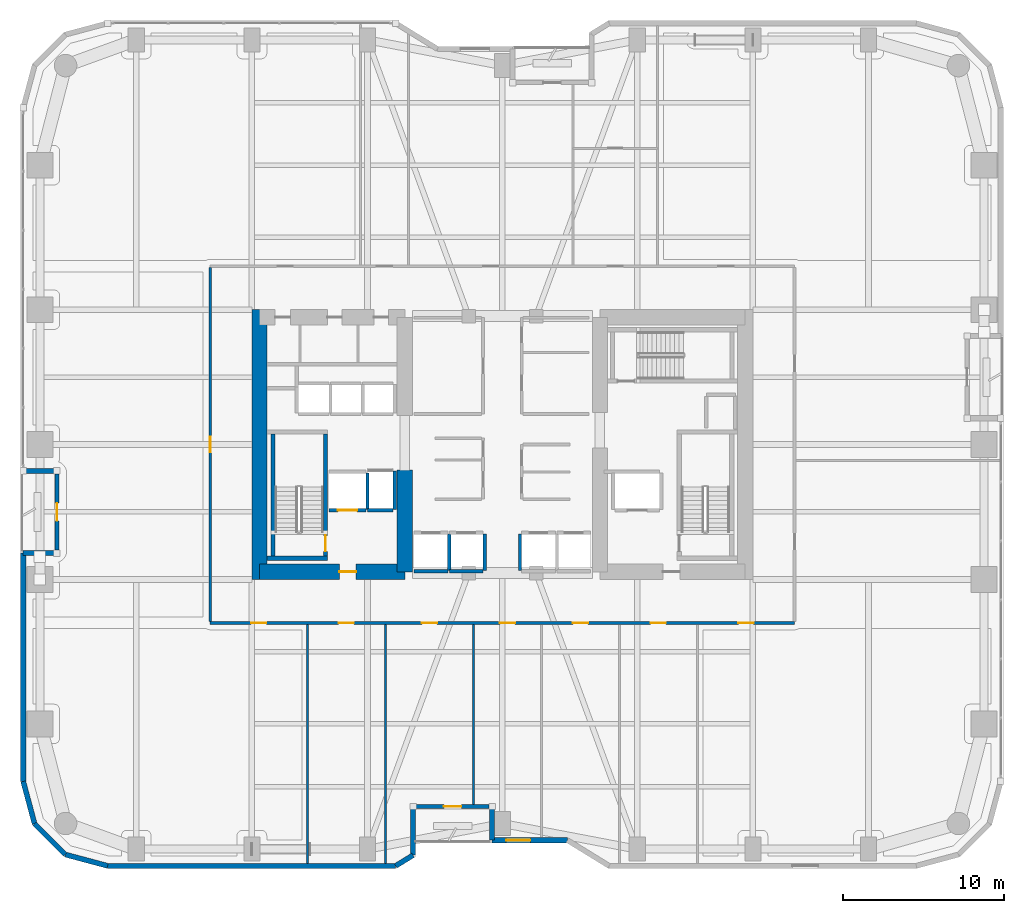
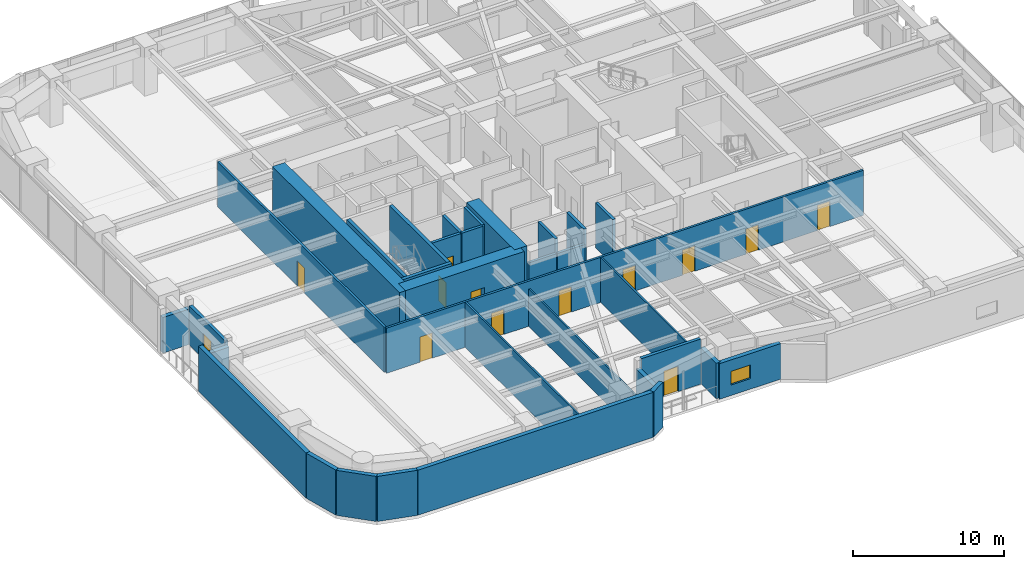
# One storey, part 22 of 29: 33 walls, 13 doors, 1 window, 14 openings.
"""IFC4 building model written with IfcOpenShell, lengths in metres."""

from ifc_helpers import new_model, si_unit, direction, frame, frame_2d, origin, place, context, subcontext, project, spatial, rectangle, extrude, material, layer, layer_set, type_object, element, fill, save


model = new_model("IFC4")

# Units and contexts
model_context = context("Model", 3, precision=1e-05, world=origin(), true_north=direction((0.0, 1.0)))
body_context = subcontext(model_context, "Body", "Model", "MODEL_VIEW")
ifc_project = project(units=[si_unit("LENGTHUNIT", "METRE"), si_unit("AREAUNIT", "SQUARE_METRE"), si_unit("VOLUMEUNIT", "CUBIC_METRE"), si_unit("PLANEANGLEUNIT", "RADIAN"), si_unit("MASSUNIT", "GRAM", prefix="KILO")], contexts=[model_context])

# Site, building, storey
site_placement = place(None, origin())
site = spatial("IfcSite", under=ifc_project, at=site_placement, CompositionType="ELEMENT")
building_placement = place(site_placement, origin())
building = spatial("IfcBuilding", under=site, at=building_placement, Name="Kiyonajd Concourse Tower", CompositionType="ELEMENT")
storey_placement = place(building_placement, frame((0.0, 0.0, 48.89990234375)))
storey = spatial("IfcBuildingStorey", under=building, at=storey_placement, Name="L13", CompositionType="ELEMENT", Elevation=48.89990234375)

# Walls
ifc_material_1 = material(Name="Concrete C80/95", Category="concrete")
ifc_layer_1 = layer(ifc_material_1, 0.949951171875)
ifc_layer_set_1 = layer_set([ifc_layer_1], Name="Concrete C80/95")
wall_type_1 = type_object("IfcWallType", Name="WL-CORE-950", PredefinedType="SHEAR", material=ifc_layer_set_1)
wall_1_placement = place(storey_placement, frame((32.875, 27.60009765625, 0.0), z_axis=(0.0, 0.0, 1.0), x_axis=(0.0, 1.0, 0.0)))
element("IfcWall", 1, at=wall_1_placement, inside=storey, type_object=wall_type_1, Name="L13 West Core Outer Shear Wall", PredefinedType="SHEAR", context=body_context, shape_type="SweptSolid", body=[
    extrude(rectangle(XDim=16.7998046875, YDim=0.949951171875, at=frame_2d((8.39990234375, 0.0))), origin(), (0.0, 0.0, 1.0), 3.900146484375),
])
wall_2_placement = place(storey_placement, frame((41.925048828125, 28.074951171875, 0.0), z_axis=(0.0, 0.0, 1.0), x_axis=(0.0, 1.0, 0.0)))
element("IfcWall", 2, at=wall_2_placement, inside=storey, type_object=wall_type_1, Name="L13 West Core Inner South Shear Wall", PredefinedType="SHEAR", context=body_context, shape_type="SweptSolid", body=[
    extrude(rectangle(XDim=6.324951171875, YDim=0.949951171875, at=frame_2d((3.16259765625, 0.0))), origin(), (0.0, 0.0, 1.0), 3.900146484375),
])

# Wall, opening, door
wall_3_placement = place(storey_placement, frame((32.875, 28.074951171875, 0.0), z_axis=(0.0, 0.0, 1.0), x_axis=(1.0, 0.0, 0.0)))
wall_3 = element("IfcWall", 3, at=wall_3_placement, inside=storey, type_object=wall_type_1, Name="L13 West Core South Shear Wall", PredefinedType="SHEAR", context=body_context, shape_type="SweptSolid", body=[
    extrude(rectangle(XDim=9.050048828125, YDim=0.949951171875, at=frame_2d((4.52490234375, 0.0))), origin(), (0.0, 0.0, 1.0), 3.900146484375),
])
opening_1_placement = place(wall_3_placement, frame((4.97509765625, 0.0, 0.0)))
opening_1 = element("IfcOpeningElement", 4, at=opening_1_placement, cuts=wall_3, Name="Opening DF5", PredefinedType="OPENING", context=body_context, shape_type="SweptSolid", body=[
    extrude(rectangle(XDim=1.050048828125, YDim=2.0400390625, at=frame_2d((0.52490234375, 1.02001953125))), frame((0.0, 0.48486328125, 0.0), z_axis=(0.0, -1.0, 0.0), x_axis=(1.0, 0.0, 0.0)), (0.0, 0.0, 1.0), 0.969970703125),
])
ifc_material_2 = material(Name="Brushed Stainless Steel Cab Assembly", Category="steel")
door_type_1 = type_object("IfcDoorType", Name="DR-FD45-1050", OperationType="NOTDEFINED", PredefinedType="DOOR", material=ifc_material_2)
door_1_placement = place(opening_1_placement, origin())
door_1 = element("IfcDoor", 5, at=door_1_placement, inside=storey, type_object=door_type_1, Name="L13 Firefighting Lift Lobby W Smoke Door", OperationType="SINGLE_SWING_LEFT", OverallHeight=2.0400390625, OverallWidth=1.050048828125, PredefinedType="DOOR", context=body_context, shape_type="SweptSolid", body=[
    extrude(rectangle(XDim=1.050048828125, YDim=2.0400390625, at=frame_2d((0.52490234375, 1.02001953125))), frame((0.0, 0.02490234375, 0.0), z_axis=(0.0, -1.0, 0.0), x_axis=(1.0, 0.0, 0.0)), (0.0, 0.0, 1.0), 0.050048828125),
])
fill(opening_1, door_1)

# Walls
ifc_material_3 = material(Name="Precast concrete C50/60", Category="concrete")
ifc_layer_2 = layer(ifc_material_3, 0.320068359375)
ifc_layer_set_2 = layer_set([ifc_layer_2], Name="Precast concrete C50/60")
wall_type_2 = type_object("IfcWallType", Name="WL-EXT-320", PredefinedType="SOLIDWALL", material=ifc_layer_set_2)
wall_4_placement = place(storey_placement, frame((18.866455078125, 12.3828125, 0.0), z_axis=(0.0, 0.0, 1.0), x_axis=(-0.25869736047, 0.965958423373, 0.0)))
element("IfcWall", 6, at=wall_4_placement, inside=storey, type_object=wall_type_2, Name="L13 Exterior Concrete Frame Wall 00", PredefinedType="SOLIDWALL", context=body_context, shape_type="SweptSolid", body=[
    extrude(rectangle(XDim=2.731201171875, YDim=0.320068359375, at=frame_2d((1.36572265625, 0.0))), origin(), (0.0, 0.0, 1.0), 3.64013671875),
])
wall_5_placement = place(storey_placement, frame((18.159912109375, 15.02099609375, 0.0), z_axis=(0.0, 0.0, 1.0), x_axis=(0.0, 1.0, 0.0)))
element("IfcWall", 7, at=wall_5_placement, inside=storey, type_object=wall_type_2, Name="L13 Exterior Concrete Frame Wall 01", PredefinedType="SOLIDWALL", context=body_context, shape_type="SweptSolid", body=[
    extrude(rectangle(XDim=14.218994140625, YDim=0.320068359375, at=frame_2d((7.109375, 0.0))), origin(), (0.0, 0.0, 1.0), 3.64013671875),
])
for number, where, z_axis, x_axis, name in (
    (8, (18.159912109375, 29.239990234375, 0.0), (0.0, 0.0, 1.0), (1.0, 0.0, 0.0), "L13 Exterior Concrete Frame Wall 02"),
    (9, (20.260009765625, 34.360107421875, 0.0), (0.0, 0.0, 1.0), (-1.0, 0.0, 0.0), "L13 Exterior Concrete Frame Wall 04"),
):
    element("IfcWall", number, at=place(storey_placement, frame(where, z_axis=z_axis, x_axis=x_axis)), inside=storey, type_object=wall_type_2, Name=name, PredefinedType="SOLIDWALL", context=body_context, shape_type="SweptSolid", body=[
        extrude(rectangle(XDim=2.10009765625, YDim=0.320068359375, at=frame_2d((1.050048828125, 0.0))), origin(), (0.0, 0.0, 1.0), 2.875),
    ])

# Wall, opening, window
wall_6_placement = place(storey_placement, frame((52.04541015625, 11.360107421875, 0.0), z_axis=(0.0, 0.0, 1.0), x_axis=(-1.0, 0.0, 0.0)))
wall_6 = element("IfcWall", 10, at=wall_6_placement, inside=storey, type_object=wall_type_2, Name="L13 Exterior Concrete Frame Wall 30", PredefinedType="SOLIDWALL", context=body_context, shape_type="SweptSolid", body=[
    extrude(rectangle(XDim=4.685302734375, YDim=0.320068359375, at=frame_2d((2.3427734375, 0.0))), origin(), (0.0, 0.0, 1.0), 2.875),
])
opening_2_placement = place(wall_6_placement, frame((2.304931640625, 0.0, 0.85009765625)))
opening_2 = element("IfcOpeningElement", 11, at=opening_2_placement, cuts=wall_6, Name="Opening WN2", PredefinedType="OPENING", context=body_context, shape_type="SweptSolid", body=[
    extrude(rectangle(XDim=1.5, YDim=1.10009765625, at=frame_2d((0.75, 0.550048828125))), frame((0.0, 0.169921875, 0.0), z_axis=(0.0, -1.0, 0.0), x_axis=(1.0, 0.0, 0.0)), (0.0, 0.0, 1.0), 0.340087890625),
])
ifc_material_4 = material(Name="Double Low-E Insulated Glass", Category="glass")
window_type = type_object("IfcWindowType", Name="WN-VIS-1500x1100", PartitioningType="SINGLE_PANEL", PredefinedType="WINDOW", material=ifc_material_4)
window_placement = place(opening_2_placement, origin())
window = element("IfcWindow", 12, at=window_placement, inside=storey, type_object=window_type, Name="L13 Modular Facade Vision Window 30", OverallHeight=1.10009765625, OverallWidth=1.5, PartitioningType="SINGLE_PANEL", PredefinedType="WINDOW", context=body_context, shape_type="SweptSolid", body=[
    extrude(rectangle(XDim=1.5, YDim=1.10009765625, at=frame_2d((0.75, 0.550048828125))), frame((0.0, 0.030029296875, 0.0), z_axis=(0.0, -1.0, 0.0), x_axis=(1.0, 0.0, 0.0)), (0.0, 0.0, 1.0), 0.06005859375),
])
fill(opening_2, window)

# Walls
wall_7_placement = place(storey_placement, frame((47.360107421875, 11.360107421875, 0.0), z_axis=(0.0, 0.0, 1.0), x_axis=(0.0, 1.0, 0.0)))
element("IfcWall", 13, at=wall_7_placement, inside=storey, type_object=wall_type_2, Name="L13 Exterior Concrete Frame Wall 31", PredefinedType="SOLIDWALL", context=body_context, shape_type="SweptSolid", body=[
    extrude(rectangle(XDim=2.099853515625, YDim=0.320068359375, at=frame_2d((1.0498046875, 0.0))), origin(), (0.0, 0.0, 1.0), 2.875),
])
wall_8_placement = place(storey_placement, frame((42.43994140625, 13.4599609375, 0.0), z_axis=(0.0, 0.0, 1.0), x_axis=(0.0, -1.0, 0.0)))
element("IfcWall", 14, at=wall_8_placement, inside=storey, type_object=wall_type_2, Name="L13 Exterior Concrete Frame Wall 33", PredefinedType="SOLIDWALL", context=body_context, shape_type="SweptSolid", body=[
    extrude(rectangle(XDim=3.032470703125, YDim=0.320068359375, at=frame_2d((1.51611328125, 0.0))), origin(), (0.0, 0.0, 1.0), 2.875),
])
wall_9_placement = place(storey_placement, frame((42.43994140625, 10.427490234375, 0.0), z_axis=(0.0, 0.0, 1.0), x_axis=(-0.851776724646, -0.523904964045, 0.0)))
element("IfcWall", 15, at=wall_9_placement, inside=storey, type_object=wall_type_2, Name="L13 Exterior Concrete Frame Wall 34", PredefinedType="SOLIDWALL", context=body_context, shape_type="SweptSolid", body=[
    extrude(rectangle(XDim=1.274169921875, YDim=0.320068359375, at=frame_2d((0.63720703125, 0.0))), origin(), (0.0, 0.0, 1.0), 3.64013671875),
])
wall_10_placement = place(storey_placement, frame((41.354736328125, 9.760009765625, 0.0), z_axis=(0.0, 0.0, 1.0), x_axis=(-1.0, 0.0, 0.0)))
element("IfcWall", 16, at=wall_10_placement, inside=storey, type_object=wall_type_2, Name="L13 Exterior Concrete Frame Wall 35", PredefinedType="SOLIDWALL", context=body_context, shape_type="SweptSolid", body=[
    extrude(rectangle(XDim=17.93359375, YDim=0.320068359375, at=frame_2d((8.966796875, 0.0))), origin(), (0.0, 0.0, 1.0), 3.64013671875),
])
wall_11_placement = place(storey_placement, frame((23.421142578125, 9.760009765625, 0.0), z_axis=(0.0, 0.0, 1.0), x_axis=(-0.965964405026, 0.25867502435, 0.0)))
element("IfcWall", 17, at=wall_11_placement, inside=storey, type_object=wall_type_2, Name="L13 Exterior Concrete Frame Wall 36", PredefinedType="SOLIDWALL", context=body_context, shape_type="SweptSolid", body=[
    extrude(rectangle(XDim=2.7314453125, YDim=0.320068359375, at=frame_2d((1.36572265625, 0.0))), origin(), (0.0, 0.0, 1.0), 3.64013671875),
])
wall_12_placement = place(storey_placement, frame((20.78271484375, 10.466552734375, 0.0), z_axis=(0.0, 0.0, 1.0), x_axis=(-0.707106781187, 0.707106781187, 0.0)))
element("IfcWall", 18, at=wall_12_placement, inside=storey, type_object=wall_type_2, Name="L13 Exterior Concrete Frame Wall 37", PredefinedType="SOLIDWALL", context=body_context, shape_type="SweptSolid", body=[
    extrude(rectangle(XDim=2.7099609375, YDim=0.320068359375, at=frame_2d((1.35498046875, 0.0))), origin(), (0.0, 0.0, 1.0), 3.64013671875),
])

# Wall, opening, door
ifc_layer_3 = layer(ifc_material_3, 0.239990234375)
ifc_layer_set_3 = layer_set([ifc_layer_3], Name="Precast concrete C50/60")
wall_type_3 = type_object("IfcWallType", Name="WL-LOG-240", PredefinedType="SOLIDWALL", material=ifc_layer_set_3)
wall_13_placement = place(storey_placement, frame((20.260009765625, 29.43505859375, 0.0), z_axis=(0.0, 0.0, 1.0), x_axis=(0.0, 1.0, 0.0)))
wall_13 = element("IfcWall", 19, at=wall_13_placement, inside=storey, type_object=wall_type_3, Name="L13 Recessed Loggia Thermal Wall LOG-W", PredefinedType="SOLIDWALL", context=body_context, shape_type="SweptSolid", body=[
    extrude(rectangle(XDim=4.72998046875, YDim=0.239990234375, at=frame_2d((2.364990234375, 0.0))), origin(), (0.0, 0.0, 1.0), 3.162109375),
])
opening_3_placement = place(wall_13_placement, frame((1.81494140625, 0.0, 0.0)))
opening_3 = element("IfcOpeningElement", 20, at=opening_3_placement, cuts=wall_13, Name="Opening DL2", PredefinedType="OPENING", context=body_context, shape_type="SweptSolid", body=[
    extrude(rectangle(XDim=1.10009765625, YDim=2.0400390625, at=frame_2d((0.550048828125, 1.02001953125))), frame((0.0, 0.1298828125, 0.0), z_axis=(0.0, -1.0, 0.0), x_axis=(1.0, 0.0, 0.0)), (0.0, 0.0, 1.0), 0.260009765625),
])
ifc_material_5 = material(Name="Thermally Broken Anodised Aluminium", Category="aluminium")
door_type_2 = type_object("IfcDoorType", Name="DR-LOG-1100", OperationType="NOTDEFINED", PredefinedType="DOOR", material=ifc_material_5)
door_2_placement = place(opening_3_placement, origin())
door_2 = element("IfcDoor", 21, at=door_2_placement, inside=storey, type_object=door_type_2, Name="L13 Engawa Loggia Access Door LOG-W", OperationType="SINGLE_SWING_LEFT", OverallHeight=2.0400390625, OverallWidth=1.10009765625, PredefinedType="DOOR", context=body_context, shape_type="SweptSolid", body=[
    extrude(rectangle(XDim=1.10009765625, YDim=2.0400390625, at=frame_2d((0.550048828125, 1.02001953125))), frame((0.0, 0.02490234375, 0.0), z_axis=(0.0, -1.0, 0.0), x_axis=(1.0, 0.0, 0.0)), (0.0, 0.0, 1.0), 0.050048828125),
])
fill(opening_3, door_2)

wall_14_placement = place(storey_placement, frame((47.1650390625, 13.4599609375, 0.0), z_axis=(0.0, 0.0, 1.0), x_axis=(-1.0, 0.0, 0.0)))
wall_14 = element("IfcWall", 22, at=wall_14_placement, inside=storey, type_object=wall_type_3, Name="L13 Recessed Loggia Thermal Wall LOG-S", PredefinedType="SOLIDWALL", context=body_context, shape_type="SweptSolid", body=[
    extrude(rectangle(XDim=4.530029296875, YDim=0.239990234375, at=frame_2d((2.26513671875, 0.0))), origin(), (0.0, 0.0, 1.0), 3.64013671875),
])
opening_4_placement = place(wall_14_placement, frame((1.715087890625, 0.0, 0.0)))
opening_4 = element("IfcOpeningElement", 23, at=opening_4_placement, cuts=wall_14, Name="Opening DL2", PredefinedType="OPENING", context=body_context, shape_type="SweptSolid", body=[
    extrude(rectangle(XDim=1.10009765625, YDim=2.0400390625, at=frame_2d((0.550048828125, 1.02001953125))), frame((0.0, 0.1298828125, 0.0), z_axis=(0.0, -1.0, 0.0), x_axis=(1.0, 0.0, 0.0)), (0.0, 0.0, 1.0), 0.260009765625),
])
door_3_placement = place(opening_4_placement, origin())
door_3 = element("IfcDoor", 24, at=door_3_placement, inside=storey, type_object=door_type_2, Name="L13 Engawa Loggia Access Door LOG-S", OperationType="SINGLE_SWING_RIGHT", OverallHeight=2.0400390625, OverallWidth=1.10009765625, PredefinedType="DOOR", context=body_context, shape_type="SweptSolid", body=[
    extrude(rectangle(XDim=1.10009765625, YDim=2.0400390625, at=frame_2d((0.550048828125, 1.02001953125))), frame((0.0, 0.02490234375, 0.0), z_axis=(0.0, -1.0, 0.0), x_axis=(1.0, 0.0, 0.0)), (0.0, 0.0, 1.0), 0.050048828125),
])
fill(opening_4, door_3)

# Walls
ifc_material_6 = material(Name="Gypsum Board on Cold-Formed Steel Stud", Category="steel")
ifc_layer_4 = layer(ifc_material_6, 0.125)
ifc_layer_set_4 = layer_set([ifc_layer_4], Name="Gypsum Board on Cold-Formed Steel Stud")
wall_type_4 = type_object("IfcWallType", Name="WL-PART-125", PredefinedType="PARTITIONING", material=ifc_layer_set_4)
wall_15_placement = place(storey_placement, frame((35.860107421875, 9.9150390625, 0.0), z_axis=(0.0, 0.0, 1.0), x_axis=(0.0, 1.0, 0.0)))
element("IfcWall", 25, at=wall_15_placement, inside=storey, type_object=wall_type_4, Name="L13 Interior Partition Wall", PredefinedType="PARTITIONING", context=body_context, shape_type="SweptSolid", body=[
    extrude(rectangle(XDim=14.887939453125, YDim=0.125, at=frame_2d((7.44384765625, 0.0))), origin(), (0.0, 0.0, 1.0), 3.64013671875),
])
wall_16_placement = place(storey_placement, frame((40.7099609375, 9.9150390625, 0.0), z_axis=(0.0, 0.0, 1.0), x_axis=(0.0, 1.0, 0.0)))
element("IfcWall", 26, at=wall_16_placement, inside=storey, type_object=wall_type_4, Name="L13 Interior Partition Wall", PredefinedType="PARTITIONING", context=body_context, shape_type="SweptSolid", body=[
    extrude(rectangle(XDim=14.887939453125, YDim=0.125, at=frame_2d((7.44384765625, 0.0))), origin(), (0.0, 0.0, 1.0), 3.003173828125),
])
wall_17_placement = place(storey_placement, frame((46.199951171875, 13.574951171875, 0.0), z_axis=(0.0, 0.0, 1.0), x_axis=(0.0, 1.0, 0.0)))
element("IfcWall", 27, at=wall_17_placement, inside=storey, type_object=wall_type_4, Name="L13 Interior Partition Wall", PredefinedType="PARTITIONING", context=body_context, shape_type="SweptSolid", body=[
    extrude(rectangle(XDim=11.22802734375, YDim=0.125, at=frame_2d((5.614013671875, 0.0))), origin(), (0.0, 0.0, 1.0), 3.64013671875),
])

# Wall, opening, door
ifc_layer_5 = layer(ifc_material_6, 0.2099609375)
ifc_layer_set_5 = layer_set([ifc_layer_5], Name="Gypsum Board on Cold-Formed Steel Stud")
wall_type_5 = type_object("IfcWallType", Name="WL-SHAFT-210", PredefinedType="PARTITIONING", material=ifc_layer_set_5)
wall_18_placement = place(storey_placement, frame((37.199951171875, 31.89990234375, 0.0), z_axis=(0.0, 0.0, 1.0), x_axis=(1.0, 0.0, 0.0)))
wall_18 = element("IfcWall", 28, at=wall_18_placement, inside=storey, type_object=wall_type_5, Name="L13 Shaft Enclosure Wall", PredefinedType="PARTITIONING", context=body_context, shape_type="SweptSolid", body=[
    extrude(rectangle(XDim=2.300048828125, YDim=0.2099609375, at=frame_2d((1.14990234375, 0.0))), origin(), (0.0, 0.0, 1.0), 3.64013671875),
])
opening_5_placement = place(wall_18_placement, frame((0.550048828125, 0.0, 0.0)))
opening_5 = element("IfcOpeningElement", 29, at=opening_5_placement, cuts=wall_18, Name="Opening LD2", PredefinedType="OPENING", context=body_context, shape_type="SweptSolid", body=[
    extrude(rectangle(XDim=1.199951171875, YDim=2.0400390625, at=frame_2d((0.60009765625, 1.02001953125))), frame((0.0, 0.114990234375, 0.0), z_axis=(0.0, -1.0, 0.0), x_axis=(1.0, 0.0, 0.0)), (0.0, 0.0, 1.0), 0.22998046875),
])
door_type_3 = type_object("IfcDoorType", Name="DR-LD-1200", OperationType="DOUBLE_DOOR_SLIDING", PredefinedType="DOOR", material=ifc_material_2)
door_4_placement = place(opening_5_placement, origin())
door_4 = element("IfcDoor", 30, at=door_4_placement, inside=storey, type_object=door_type_3, Name="L13 Lift FFL1 Sliding Landing Door", OperationType="DOUBLE_DOOR_SLIDING", OverallHeight=2.0400390625, OverallWidth=1.199951171875, PredefinedType="DOOR", context=body_context, shape_type="SweptSolid", body=[
    extrude(rectangle(XDim=1.199951171875, YDim=2.0400390625, at=frame_2d((0.60009765625, 1.02001953125))), frame((0.0, 0.02490234375, 0.0), z_axis=(0.0, -1.0, 0.0), x_axis=(1.0, 0.0, 0.0)), (0.0, 0.0, 1.0), 0.050048828125),
])
fill(opening_5, door_4)

# Walls
wall_19_placement = place(storey_placement, frame((39.60009765625, 31.9599609375, 0.0), z_axis=(0.0, 0.0, 1.0), x_axis=(0.0, 1.0, 0.0)))
element("IfcWall", 31, at=wall_19_placement, inside=storey, type_object=wall_type_5, Name="L13 Shaft Enclosure Wall", PredefinedType="PARTITIONING", context=body_context, shape_type="SweptSolid", body=[
    extrude(rectangle(XDim=2.280029296875, YDim=0.2099609375, at=frame_2d((1.14013671875, 0.0))), origin(), (0.0, 0.0, 1.0), 3.64013671875),
])
wall_20_placement = place(storey_placement, frame((39.60009765625, 31.89990234375, 0.0), z_axis=(0.0, 0.0, 1.0), x_axis=(1.0, 0.0, 0.0)))
element("IfcWall", 32, at=wall_20_placement, inside=storey, type_object=wall_type_5, Name="L13 Shaft Enclosure Wall", PredefinedType="PARTITIONING", context=body_context, shape_type="SweptSolid", body=[
    extrude(rectangle(XDim=1.599853515625, YDim=0.2099609375, at=frame_2d((0.7998046875, 0.0))), origin(), (0.0, 0.0, 1.0), 3.64013671875),
])
wall_21_placement = place(storey_placement, frame((41.300048828125, 31.9599609375, 0.0), z_axis=(0.0, 0.0, 1.0), x_axis=(0.0, 1.0, 0.0)))
element("IfcWall", 33, at=wall_21_placement, inside=storey, type_object=wall_type_5, Name="L13 Shaft Enclosure Wall", PredefinedType="PARTITIONING", context=body_context, shape_type="SweptSolid", body=[
    extrude(rectangle(XDim=2.380126953125, YDim=0.2099609375, at=frame_2d((1.18994140625, 0.0))), origin(), (0.0, 0.0, 1.0), 3.64013671875),
])
wall_22_placement = place(storey_placement, frame((42.5, 28.10009765625, 0.0), z_axis=(0.0, 0.0, 1.0), x_axis=(1.0, 0.0, 0.0)))
element("IfcWall", 34, at=wall_22_placement, inside=storey, type_object=wall_type_5, Name="L13 Shaft Enclosure Wall", PredefinedType="PARTITIONING", context=body_context, shape_type="SweptSolid", body=[
    extrude(rectangle(XDim=2.10009765625, YDim=0.2099609375, at=frame_2d((1.050048828125, 0.0))), origin(), (0.0, 0.0, 1.0), 2.525146484375),
])
wall_23_placement = place(storey_placement, frame((44.699951171875, 28.159912109375, 0.0), z_axis=(0.0, 0.0, 1.0), x_axis=(0.0, 1.0, 0.0)))
element("IfcWall", 35, at=wall_23_placement, inside=storey, type_object=wall_type_5, Name="L13 Shaft Enclosure Wall", PredefinedType="PARTITIONING", context=body_context, shape_type="SweptSolid", body=[
    extrude(rectangle(XDim=2.280029296875, YDim=0.2099609375, at=frame_2d((1.14013671875, 0.0))), origin(), (0.0, 0.0, 1.0), 3.64013671875),
])
wall_24_placement = place(storey_placement, frame((44.699951171875, 28.10009765625, 0.0), z_axis=(0.0, 0.0, 1.0), x_axis=(1.0, 0.0, 0.0)))
element("IfcWall", 36, at=wall_24_placement, inside=storey, type_object=wall_type_5, Name="L13 Shaft Enclosure Wall", PredefinedType="PARTITIONING", context=body_context, shape_type="SweptSolid", body=[
    extrude(rectangle(XDim=2.10009765625, YDim=0.2099609375, at=frame_2d((1.050048828125, 0.0))), origin(), (0.0, 0.0, 1.0), 2.525146484375),
])
for number, where, z_axis, x_axis, name in (
    (37, (46.89990234375, 28.159912109375, 0.0), (0.0, 0.0, 1.0), (0.0, 1.0, 0.0), "L13 Shaft Enclosure Wall"),
    (38, (49.10009765625, 28.159912109375, 0.0), (0.0, 0.0, 1.0), (0.0, 1.0, 0.0), "L13 Shaft Enclosure Wall"),
):
    element("IfcWall", number, at=place(storey_placement, frame(where, z_axis=z_axis, x_axis=x_axis)), inside=storey, type_object=wall_type_5, Name=name, PredefinedType="PARTITIONING", context=body_context, shape_type="SweptSolid", body=[
        extrude(rectangle(XDim=2.280029296875, YDim=0.2099609375, at=frame_2d((1.14013671875, 0.0))), origin(), (0.0, 0.0, 1.0), 3.64013671875),
    ])

# Wall, openings, doors
ifc_layer_6 = layer(ifc_material_6, 0.169921875)
ifc_layer_set_6 = layer_set([ifc_layer_6], Name="Gypsum Board on Cold-Formed Steel Stud")
wall_type_6 = type_object("IfcWallType", Name="WL-SMK-170", PredefinedType="PARTITIONING", material=ifc_layer_set_6)
wall_25_placement = place(storey_placement, frame((29.800048828125, 24.889892578125, 0.0), z_axis=(0.0, 0.0, 1.0), x_axis=(1.0, 0.0, 0.0)))
wall_25 = element("IfcWall", 39, at=wall_25_placement, inside=storey, type_object=wall_type_6, Name="L13 Interior Partition Wall", PredefinedType="PARTITIONING", context=body_context, shape_type="SweptSolid", body=[
    extrude(rectangle(XDim=36.39990234375, YDim=0.169921875, at=frame_2d((18.199951171875, 0.0))), origin(), (0.0, 0.0, 1.0), 3.64013671875),
])
opening_6_placement = place(wall_25_placement, frame((2.554931640625, 0.0, 0.0)))
opening_6 = element("IfcOpeningElement", 40, at=opening_6_placement, cuts=wall_25, Name="Opening DI1", PredefinedType="OPENING", context=body_context, shape_type="SweptSolid", body=[
    extrude(rectangle(XDim=0.949951171875, YDim=2.0400390625, at=frame_2d((0.47509765625, 1.02001953125))), frame((0.0, 0.094970703125, 0.0), z_axis=(0.0, -1.0, 0.0), x_axis=(1.0, 0.0, 0.0)), (0.0, 0.0, 1.0), 0.18994140625),
])
opening_7_placement = place(wall_25_placement, frame((8.010009765625, 0.0, 0.0)))
opening_7 = element("IfcOpeningElement", 41, at=opening_7_placement, cuts=wall_25, Name="Opening DI1", PredefinedType="OPENING", context=body_context, shape_type="SweptSolid", body=[
    extrude(rectangle(XDim=0.949951171875, YDim=2.0400390625, at=frame_2d((0.47509765625, 1.02001953125))), frame((0.0, 0.094970703125, 0.0), z_axis=(0.0, -1.0, 0.0), x_axis=(1.0, 0.0, 0.0)), (0.0, 0.0, 1.0), 0.18994140625),
])
opening_8_placement = place(wall_25_placement, frame((13.179931640625, 0.0, 0.0)))
opening_8 = element("IfcOpeningElement", 42, at=opening_8_placement, cuts=wall_25, Name="Opening DI1", PredefinedType="OPENING", context=body_context, shape_type="SweptSolid", body=[
    extrude(rectangle(XDim=0.949951171875, YDim=2.0400390625, at=frame_2d((0.47509765625, 1.02001953125))), frame((0.0, 0.094970703125, 0.0), z_axis=(0.0, -1.0, 0.0), x_axis=(1.0, 0.0, 0.0)), (0.0, 0.0, 1.0), 0.18994140625),
])
opening_9_placement = place(wall_25_placement, frame((18.0400390625, 0.0, 0.0)))
opening_9 = element("IfcOpeningElement", 43, at=opening_9_placement, cuts=wall_25, Name="Opening DI1", PredefinedType="OPENING", context=body_context, shape_type="SweptSolid", body=[
    extrude(rectangle(XDim=0.949951171875, YDim=2.0400390625, at=frame_2d((0.47509765625, 1.02001953125))), frame((0.0, 0.094970703125, 0.0), z_axis=(0.0, -1.0, 0.0), x_axis=(1.0, 0.0, 0.0)), (0.0, 0.0, 1.0), 0.18994140625),
])
opening_10_placement = place(wall_25_placement, frame((22.5849609375, 0.0, 0.0)))
opening_10 = element("IfcOpeningElement", 44, at=opening_10_placement, cuts=wall_25, Name="Opening DI1", PredefinedType="OPENING", context=body_context, shape_type="SweptSolid", body=[
    extrude(rectangle(XDim=0.949951171875, YDim=2.0400390625, at=frame_2d((0.47509765625, 1.02001953125))), frame((0.0, 0.094970703125, 0.0), z_axis=(0.0, -1.0, 0.0), x_axis=(1.0, 0.0, 0.0)), (0.0, 0.0, 1.0), 0.18994140625),
])
opening_11_placement = place(wall_25_placement, frame((27.43994140625, 0.0, 0.0)))
opening_11 = element("IfcOpeningElement", 45, at=opening_11_placement, cuts=wall_25, Name="Opening DI1", PredefinedType="OPENING", context=body_context, shape_type="SweptSolid", body=[
    extrude(rectangle(XDim=0.949951171875, YDim=2.0400390625, at=frame_2d((0.47509765625, 1.02001953125))), frame((0.0, 0.094970703125, 0.0), z_axis=(0.0, -1.0, 0.0), x_axis=(1.0, 0.0, 0.0)), (0.0, 0.0, 1.0), 0.18994140625),
])
opening_12_placement = place(wall_25_placement, frame((32.89501953125, 0.0, 0.0)))
opening_12 = element("IfcOpeningElement", 46, at=opening_12_placement, cuts=wall_25, Name="Opening DI1", PredefinedType="OPENING", context=body_context, shape_type="SweptSolid", body=[
    extrude(rectangle(XDim=0.949951171875, YDim=2.0400390625, at=frame_2d((0.47509765625, 1.02001953125))), frame((0.0, 0.094970703125, 0.0), z_axis=(0.0, -1.0, 0.0), x_axis=(1.0, 0.0, 0.0)), (0.0, 0.0, 1.0), 0.18994140625),
])
ifc_material_7 = material(Name="Natural Oak Acoustic Timber Veneer", Category="wood")
door_type_4 = type_object("IfcDoorType", Name="DR-INT-950", OperationType="NOTDEFINED", PredefinedType="DOOR", material=ifc_material_7)
door_5_placement = place(opening_6_placement, origin())
door_5 = element("IfcDoor", 47, at=door_5_placement, inside=storey, type_object=door_type_4, Name="L13 Interior Door", OperationType="SINGLE_SWING_RIGHT", OverallHeight=2.0400390625, OverallWidth=0.949951171875, PredefinedType="DOOR", context=body_context, shape_type="SweptSolid", body=[
    extrude(rectangle(XDim=0.949951171875, YDim=2.0400390625, at=frame_2d((0.47509765625, 1.02001953125))), frame((0.0, 0.02490234375, 0.0), z_axis=(0.0, -1.0, 0.0), x_axis=(1.0, 0.0, 0.0)), (0.0, 0.0, 1.0), 0.050048828125),
])
fill(opening_6, door_5)
door_6_placement = place(opening_7_placement, origin())
door_6 = element("IfcDoor", 48, at=door_6_placement, inside=storey, type_object=door_type_4, Name="L13 Interior Door", OperationType="SINGLE_SWING_LEFT", OverallHeight=2.0400390625, OverallWidth=0.949951171875, PredefinedType="DOOR", context=body_context, shape_type="SweptSolid", body=[
    extrude(rectangle(XDim=0.949951171875, YDim=2.0400390625, at=frame_2d((0.47509765625, 1.02001953125))), frame((0.0, 0.02490234375, 0.0), z_axis=(0.0, -1.0, 0.0), x_axis=(1.0, 0.0, 0.0)), (0.0, 0.0, 1.0), 0.050048828125),
])
fill(opening_7, door_6)
door_7_placement = place(opening_8_placement, origin())
door_7 = element("IfcDoor", 49, at=door_7_placement, inside=storey, type_object=door_type_4, Name="L13 Interior Door", OperationType="SINGLE_SWING_RIGHT", OverallHeight=2.0400390625, OverallWidth=0.949951171875, PredefinedType="DOOR", context=body_context, shape_type="SweptSolid", body=[
    extrude(rectangle(XDim=0.949951171875, YDim=2.0400390625, at=frame_2d((0.47509765625, 1.02001953125))), frame((0.0, 0.02490234375, 0.0), z_axis=(0.0, -1.0, 0.0), x_axis=(1.0, 0.0, 0.0)), (0.0, 0.0, 1.0), 0.050048828125),
])
fill(opening_8, door_7)
door_8_placement = place(opening_9_placement, origin())
door_8 = element("IfcDoor", 50, at=door_8_placement, inside=storey, type_object=door_type_4, Name="L13 Interior Door", OperationType="SINGLE_SWING_LEFT", OverallHeight=2.0400390625, OverallWidth=0.949951171875, PredefinedType="DOOR", context=body_context, shape_type="SweptSolid", body=[
    extrude(rectangle(XDim=0.949951171875, YDim=2.0400390625, at=frame_2d((0.47509765625, 1.02001953125))), frame((0.0, 0.02490234375, 0.0), z_axis=(0.0, -1.0, 0.0), x_axis=(1.0, 0.0, 0.0)), (0.0, 0.0, 1.0), 0.050048828125),
])
fill(opening_9, door_8)
door_9_placement = place(opening_10_placement, origin())
door_9 = element("IfcDoor", 51, at=door_9_placement, inside=storey, type_object=door_type_4, Name="L13 Interior Door", OperationType="SINGLE_SWING_RIGHT", OverallHeight=2.0400390625, OverallWidth=0.949951171875, PredefinedType="DOOR", context=body_context, shape_type="SweptSolid", body=[
    extrude(rectangle(XDim=0.949951171875, YDim=2.0400390625, at=frame_2d((0.47509765625, 1.02001953125))), frame((0.0, 0.02490234375, 0.0), z_axis=(0.0, -1.0, 0.0), x_axis=(1.0, 0.0, 0.0)), (0.0, 0.0, 1.0), 0.050048828125),
])
fill(opening_10, door_9)
door_10_placement = place(opening_11_placement, origin())
door_10 = element("IfcDoor", 52, at=door_10_placement, inside=storey, type_object=door_type_4, Name="L13 Interior Door", OperationType="SINGLE_SWING_LEFT", OverallHeight=2.0400390625, OverallWidth=0.949951171875, PredefinedType="DOOR", context=body_context, shape_type="SweptSolid", body=[
    extrude(rectangle(XDim=0.949951171875, YDim=2.0400390625, at=frame_2d((0.47509765625, 1.02001953125))), frame((0.0, 0.02490234375, 0.0), z_axis=(0.0, -1.0, 0.0), x_axis=(1.0, 0.0, 0.0)), (0.0, 0.0, 1.0), 0.050048828125),
])
fill(opening_11, door_10)
door_11_placement = place(opening_12_placement, origin())
door_11 = element("IfcDoor", 53, at=door_11_placement, inside=storey, type_object=door_type_4, Name="L13 Interior Door", OperationType="SINGLE_SWING_RIGHT", OverallHeight=2.0400390625, OverallWidth=0.949951171875, PredefinedType="DOOR", context=body_context, shape_type="SweptSolid", body=[
    extrude(rectangle(XDim=0.949951171875, YDim=2.0400390625, at=frame_2d((0.47509765625, 1.02001953125))), frame((0.0, 0.02490234375, 0.0), z_axis=(0.0, -1.0, 0.0), x_axis=(1.0, 0.0, 0.0)), (0.0, 0.0, 1.0), 0.050048828125),
])
fill(opening_12, door_11)

# Wall, opening, door
wall_26_placement = place(storey_placement, frame((29.800048828125, 24.97705078125, 0.0), z_axis=(0.0, 0.0, 1.0), x_axis=(0.0, 1.0, 0.0)))
wall_26 = element("IfcWall", 54, at=wall_26_placement, inside=storey, type_object=wall_type_6, Name="L13 Interior Partition Wall", PredefinedType="PARTITIONING", context=body_context, shape_type="SweptSolid", body=[
    extrude(rectangle(XDim=22.0458984375, YDim=0.169921875, at=frame_2d((11.02294921875, 0.0))), origin(), (0.0, 0.0, 1.0), 3.64013671875),
])
opening_13_placement = place(wall_26_placement, frame((10.548095703125, 0.0, 0.0)))
opening_13 = element("IfcOpeningElement", 55, at=opening_13_placement, cuts=wall_26, Name="Opening DI1", PredefinedType="OPENING", context=body_context, shape_type="SweptSolid", body=[
    extrude(rectangle(XDim=0.949951171875, YDim=2.0400390625, at=frame_2d((0.47509765625, 1.02001953125))), frame((0.0, 0.094970703125, 0.0), z_axis=(0.0, -1.0, 0.0), x_axis=(1.0, 0.0, 0.0)), (0.0, 0.0, 1.0), 0.18994140625),
])
door_12_placement = place(opening_13_placement, origin())
door_12 = element("IfcDoor", 56, at=door_12_placement, inside=storey, type_object=door_type_4, Name="L13 Interior Door", OperationType="SINGLE_SWING_LEFT", OverallHeight=2.0400390625, OverallWidth=0.949951171875, PredefinedType="DOOR", context=body_context, shape_type="SweptSolid", body=[
    extrude(rectangle(XDim=0.949951171875, YDim=2.0400390625, at=frame_2d((0.47509765625, 1.02001953125))), frame((0.0, 0.02490234375, 0.0), z_axis=(0.0, -1.0, 0.0), x_axis=(1.0, 0.0, 0.0)), (0.0, 0.0, 1.0), 0.050048828125),
])
fill(opening_13, door_12)

# Walls
ifc_material_8 = material(Name="Concrete C50/60", Category="concrete")
ifc_layer_7 = layer(ifc_material_8, 0.260009765625)
ifc_layer_set_7 = layer_set([ifc_layer_7], Name="Concrete C50/60")
wall_type_7 = type_object("IfcWallType", Name="WL-STAIR-260", PredefinedType="SHEAR", material=ifc_layer_set_7)
wall_27_placement = place(storey_placement, frame((33.35009765625, 28.919921875, 0.0), z_axis=(0.0, 0.0, 1.0), x_axis=(1.0, 0.0, 0.0)))
element("IfcWall", 57, at=wall_27_placement, inside=storey, type_object=wall_type_7, Name="L13 Stair ST1 Structural South Wall", PredefinedType="SHEAR", context=body_context, shape_type="SweptSolid", body=[
    extrude(rectangle(XDim=3.760009765625, YDim=0.260009765625, at=frame_2d((1.8798828125, 0.0))), origin(), (0.0, 0.0, 1.0), 3.900146484375),
])
wall_28_placement = place(storey_placement, frame((33.719970703125, 29.050048828125, 0.0), z_axis=(0.0, 0.0, 1.0), x_axis=(0.0, 1.0, 0.0)))
element("IfcWall", 58, at=wall_28_placement, inside=storey, type_object=wall_type_7, Name="L13 Stair ST1 Structural West Wall", PredefinedType="SHEAR", context=body_context, shape_type="SweptSolid", body=[
    extrude(rectangle(XDim=7.599853515625, YDim=0.260009765625, at=frame_2d((3.7998046875, 0.0))), origin(), (0.0, 0.0, 1.0), 3.900146484375),
])

# Wall, opening, door
wall_29_placement = place(storey_placement, frame((36.97998046875, 29.050048828125, 0.0), z_axis=(0.0, 0.0, 1.0), x_axis=(0.0, 1.0, 0.0)))
wall_29 = element("IfcWall", 59, at=wall_29_placement, inside=storey, type_object=wall_type_7, Name="L13 Stair ST1 Structural East Wall", PredefinedType="SHEAR", context=body_context, shape_type="SweptSolid", body=[
    extrude(rectangle(XDim=7.599853515625, YDim=0.260009765625, at=frame_2d((3.7998046875, 0.0))), origin(), (0.0, 0.0, 1.0), 3.900146484375),
])
opening_14_placement = place(wall_29_placement, frame((0.300048828125, 0.0, 0.0)))
opening_14 = element("IfcOpeningElement", 60, at=opening_14_placement, cuts=wall_29, Name="Opening DF1", PredefinedType="OPENING", context=body_context, shape_type="SweptSolid", body=[
    extrude(rectangle(XDim=1.0, YDim=2.0400390625, at=frame_2d((0.5, 1.02001953125))), frame((0.0, 0.139892578125, 0.0), z_axis=(0.0, -1.0, 0.0), x_axis=(1.0, 0.0, 0.0)), (0.0, 0.0, 1.0), 0.280029296875),
])
door_type_5 = type_object("IfcDoorType", Name="DR-FD90-1000", OperationType="NOTDEFINED", PredefinedType="DOOR", material=ifc_material_2)
door_13_placement = place(opening_14_placement, origin())
door_13 = element("IfcDoor", 61, at=door_13_placement, inside=storey, type_object=door_type_5, Name="L13 Stair ST1 FSAE Door", OperationType="SINGLE_SWING_LEFT", OverallHeight=2.0400390625, OverallWidth=1.0, PredefinedType="DOOR", context=body_context, shape_type="SweptSolid", body=[
    extrude(rectangle(XDim=1.0, YDim=2.0400390625, at=frame_2d((0.5, 1.02001953125))), frame((0.0, 0.02490234375, 0.0), z_axis=(0.0, -1.0, 0.0), x_axis=(1.0, 0.0, 0.0)), (0.0, 0.0, 1.0), 0.050048828125),
])
fill(opening_14, door_13)

save(model, "model.ifc")
